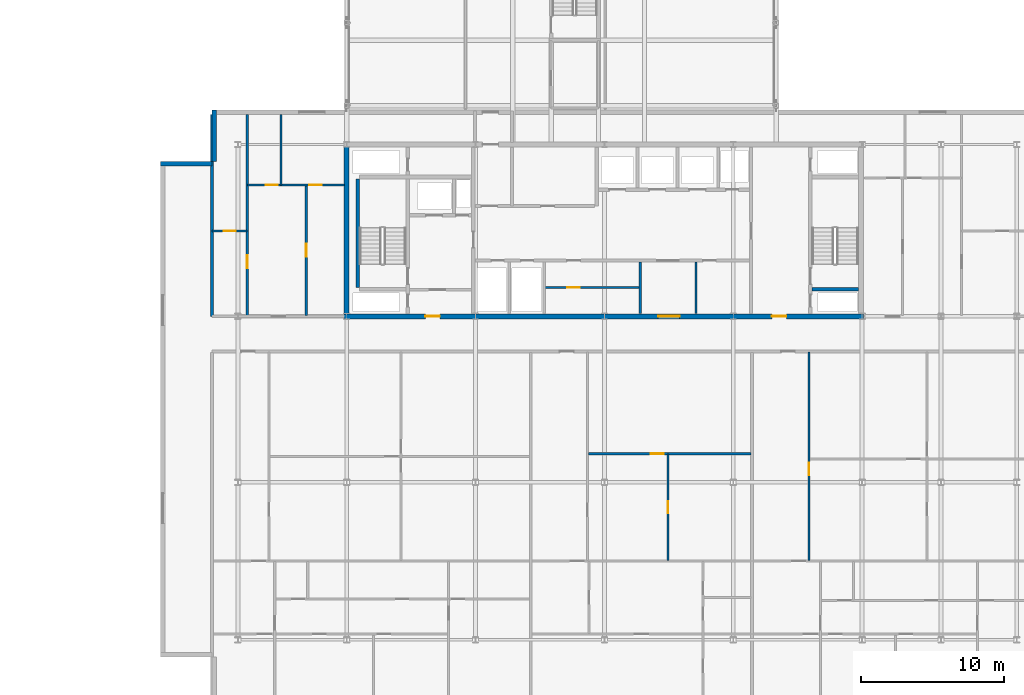
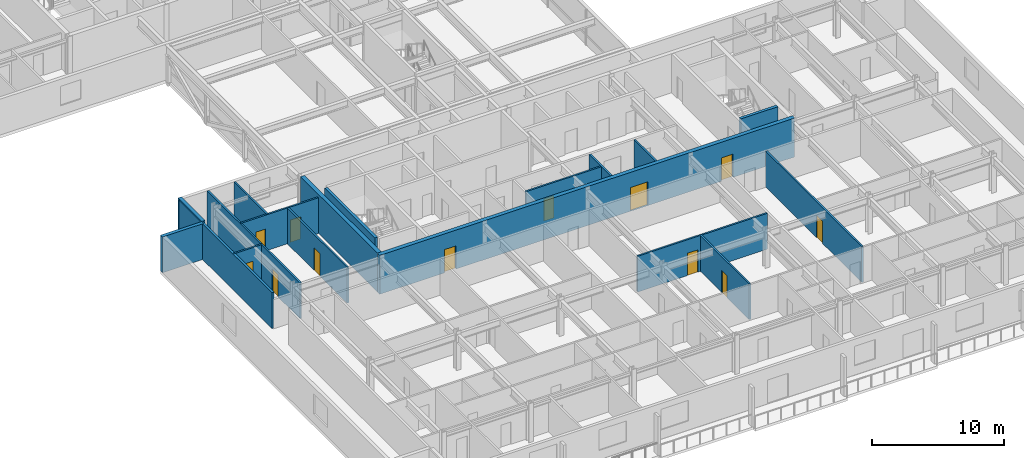
# One storey, part 19 of 36: 18 walls, 12 doors, 12 openings.
"""IFC4 building model written with IfcOpenShell, lengths in metres."""

from ifc_helpers import new_model, si_unit, direction, frame, frame_2d, origin, place, context, subcontext, project, spatial, rectangle, extrude, material, layer, layer_set, type_object, element, fill, save


model = new_model("IFC4")

# Units and contexts
model_context = context("Model", 3, precision=1e-05, world=origin(), true_north=direction((0.0, 1.0)))
body_context = subcontext(model_context, "Body", "Model", "MODEL_VIEW")
ifc_project = project(units=[si_unit("LENGTHUNIT", "METRE"), si_unit("AREAUNIT", "SQUARE_METRE"), si_unit("VOLUMEUNIT", "CUBIC_METRE"), si_unit("PLANEANGLEUNIT", "RADIAN"), si_unit("MASSUNIT", "GRAM", prefix="KILO")], contexts=[model_context])

# Site, building, storey
site_placement = place(None, origin())
site = spatial("IfcSite", under=ifc_project, at=site_placement, CompositionType="ELEMENT")
building_placement = place(site_placement, origin())
building = spatial("IfcBuilding", under=site, at=building_placement, Name="Korimba Cascade Residences", CompositionType="ELEMENT")
storey_placement = place(building_placement, frame((0.0, 0.0, 139.300048828125)))
storey = spatial("IfcBuildingStorey", under=building, at=storey_placement, Name="L40", CompositionType="ELEMENT", Elevation=139.300048828125)

# Walls
ifc_material_1 = material(Name="Precast concrete C40/50", Category="concrete")
ifc_layer_1 = layer(ifc_material_1, 0.300048828125)
ifc_layer_set_1 = layer_set([ifc_layer_1], Name="Precast concrete C40/50")
wall_type_1 = type_object("IfcWallType", Name="EW-STONE-300", PredefinedType="STANDARD", material=ifc_layer_set_1)
wall_1_placement = place(storey_placement, frame((72.85009765625, 32.800048828125, 0.0), z_axis=(0.0, 0.0, 1.0), x_axis=(0.0, -1.0, 0.0)))
element("IfcWall", 1, at=wall_1_placement, inside=storey, type_object=wall_type_1, Name="L40 T2 Perimeter Stone Wall E07", PredefinedType="STANDARD", context=body_context, shape_type="SweptSolid", body=[
    extrude(rectangle(XDim=3.60009765625, YDim=0.300048828125, at=frame_2d((1.800048828125, 0.0))), origin(), (0.0, 0.0, 1.0), 3.31005859375),
])
wall_2_placement = place(storey_placement, frame((72.699951171875, 29.050048828125, 0.0), z_axis=(0.0, 0.0, 1.0), x_axis=(-1.0, 0.0, 0.0)))
element("IfcWall", 2, at=wall_2_placement, inside=storey, type_object=wall_type_1, Name="L40 T2 Perimeter Stone Wall E08", PredefinedType="STANDARD", context=body_context, shape_type="SweptSolid", body=[
    extrude(rectangle(XDim=3.599853515625, YDim=0.300048828125, at=frame_2d((1.7998046875, 0.0))), origin(), (0.0, 0.0, 1.0), 3.31005859375),
])
ifc_material_2 = material(Name="Concrete C65/80", Category="concrete")
ifc_layer_2 = layer(ifc_material_2, 0.35009765625)
ifc_layer_set_2 = layer_set([ifc_layer_2], Name="Concrete C65/80")
wall_type_2 = type_object("IfcWallType", Name="WAL-CORE-350", PredefinedType="SHEAR", material=ifc_layer_set_2)
wall_3_placement = place(storey_placement, frame((82.10009765625, 18.574951171875, 0.0), z_axis=(0.0, 0.0, 1.0), x_axis=(0.0, 1.0, 0.0)))
element("IfcWall", 3, at=wall_3_placement, inside=storey, type_object=wall_type_2, Name="L40 Core Shear Wall CW-L40-T2-W", PredefinedType="SHEAR", context=body_context, shape_type="SweptSolid", body=[
    extrude(rectangle(XDim=11.650146484375, YDim=0.35009765625, at=frame_2d((5.8251953125, 0.0))), origin(), (0.0, 0.0, 1.0), 3.599853515625),
])

# Wall, openings, doors
wall_4_placement = place(storey_placement, frame((81.925048828125, 18.39990234375, 0.0), z_axis=(0.0, 0.0, 1.0), x_axis=(1.0, 0.0, 0.0)))
wall_4 = element("IfcWall", 4, at=wall_4_placement, inside=storey, type_object=wall_type_2, Name="L40 Core Shear Wall CW-L40-T2-S", PredefinedType="SHEAR", context=body_context, shape_type="SweptSolid", body=[
    extrude(rectangle(XDim=36.264892578125, YDim=0.35009765625, at=frame_2d((18.13232421875, 0.0))), origin(), (0.0, 0.0, 1.0), 3.599853515625),
])
opening_1_placement = place(wall_4_placement, frame((5.675048828125, 0.0, 0.0)))
opening_1 = element("IfcOpeningElement", 5, at=opening_1_placement, cuts=wall_4, Name="Opening D-FD5", PredefinedType="OPENING", context=body_context, shape_type="SweptSolid", body=[
    extrude(rectangle(XDim=1.0, YDim=2.14990234375, at=frame_2d((0.5, 1.074951171875))), frame((0.0, 0.18505859375, 0.0), z_axis=(0.0, -1.0, 0.0), x_axis=(1.0, 0.0, 0.0)), (0.0, 0.0, 1.0), 0.3701171875),
])
opening_2_placement = place(wall_4_placement, frame((21.925048828125, 0.0, 0.0)))
opening_2 = element("IfcOpeningElement", 6, at=opening_2_placement, cuts=wall_4, Name="Opening D-FD8", PredefinedType="OPENING", context=body_context, shape_type="SweptSolid", body=[
    extrude(rectangle(XDim=1.5, YDim=2.199951171875, at=frame_2d((0.75, 1.10009765625))), frame((0.0, 0.18505859375, 0.0), z_axis=(0.0, -1.0, 0.0), x_axis=(1.0, 0.0, 0.0)), (0.0, 0.0, 1.0), 0.3701171875),
])
opening_3_placement = place(wall_4_placement, frame((29.875, 0.0, 0.0)))
opening_3 = element("IfcOpeningElement", 7, at=opening_3_placement, cuts=wall_4, Name="Opening D-FD5", PredefinedType="OPENING", context=body_context, shape_type="SweptSolid", body=[
    extrude(rectangle(XDim=1.0, YDim=2.14990234375, at=frame_2d((0.5, 1.074951171875))), frame((0.0, 0.18505859375, 0.0), z_axis=(0.0, -1.0, 0.0), x_axis=(1.0, 0.0, 0.0)), (0.0, 0.0, 1.0), 0.3701171875),
])
ifc_material_3 = material(Name="Fire-Rated Acoustic Timber Vestibule Door", Category="wood")
door_type_1 = type_object("IfcDoorType", Name="DR-FD90-1000", OperationType="NOTDEFINED", PredefinedType="DOOR", material=ifc_material_3)
door_1_placement = place(opening_1_placement, origin())
door_1 = element("IfcDoor", 8, at=door_1_placement, inside=storey, type_object=door_type_1, Name="L40 T2 West Core Vestibule Fire Door", OperationType="SINGLE_SWING_RIGHT", OverallHeight=2.14990234375, OverallWidth=1.0, PredefinedType="DOOR", context=body_context, shape_type="SweptSolid", body=[
    extrude(rectangle(XDim=1.0, YDim=2.14990234375, at=frame_2d((0.5, 1.074951171875))), frame((0.0, 0.02490234375, 0.0), z_axis=(0.0, -1.0, 0.0), x_axis=(1.0, 0.0, 0.0)), (0.0, 0.0, 1.0), 0.050048828125),
])
fill(opening_1, door_1)
door_2_placement = place(opening_3_placement, origin())
door_2 = element("IfcDoor", 9, at=door_2_placement, inside=storey, type_object=door_type_1, Name="L40 T2 East Stair Vestibule Fire Door", OperationType="SINGLE_SWING_LEFT", OverallHeight=2.14990234375, OverallWidth=1.0, PredefinedType="DOOR", context=body_context, shape_type="SweptSolid", body=[
    extrude(rectangle(XDim=1.0, YDim=2.14990234375, at=frame_2d((0.5, 1.074951171875))), frame((0.0, 0.02490234375, 0.0), z_axis=(0.0, -1.0, 0.0), x_axis=(1.0, 0.0, 0.0)), (0.0, 0.0, 1.0), 0.050048828125),
])
fill(opening_3, door_2)
ifc_material_4 = material(Name="Fire-Rated Glazed Lift Lobby Double Door", Category="glass")
door_type_2 = type_object("IfcDoorType", Name="DR-FD90-1500", OperationType="NOTDEFINED", PredefinedType="DOOR", material=ifc_material_4)
door_3_placement = place(opening_2_placement, origin())
door_3 = element("IfcDoor", 10, at=door_3_placement, inside=storey, type_object=door_type_2, Name="L40 T2 Lift Lobby Fire Door", OperationType="DOUBLE_DOOR_SINGLE_SWING", OverallHeight=2.199951171875, OverallWidth=1.5, PredefinedType="DOOR", context=body_context, shape_type="SweptSolid", body=[
    extrude(rectangle(XDim=1.5, YDim=2.199951171875, at=frame_2d((0.75, 1.10009765625))), frame((0.0, 0.02490234375, 0.0), z_axis=(0.0, -1.0, 0.0), x_axis=(1.0, 0.0, 0.0)), (0.0, 0.0, 1.0), 0.050048828125),
])
fill(opening_2, door_3)

# Wall
ifc_layer_3 = layer(ifc_material_1, 0.199951171875)
ifc_layer_set_3 = layer_set([ifc_layer_3], Name="Precast concrete C40/50")
wall_type_3 = type_object("IfcWallType", Name="WAL-IT-200", PredefinedType="PARTITIONING", material=ifc_layer_set_3)
wall_5_placement = place(storey_placement, frame((72.699951171875, 18.39990234375, 0.0), z_axis=(0.0, 0.0, 1.0), x_axis=(0.0, 1.0, 0.0)))
element("IfcWall", 11, at=wall_5_placement, inside=storey, type_object=wall_type_3, Name="L40 Partition Wall WAL-L40-T2-FW-WL", PredefinedType="PARTITIONING", context=body_context, shape_type="SweptSolid", body=[
    extrude(rectangle(XDim=14.10009765625, YDim=0.199951171875, at=frame_2d((7.050048828125, 0.0))), origin(), (0.0, 0.0, 1.0), 3.31005859375),
])

# Wall, opening, door
ifc_material_5 = material(Name="Insulated Acoustic Stud Partition", Category="gypsum")
ifc_layer_4 = layer(ifc_material_5, 0.14990234375)
ifc_layer_set_4 = layer_set([ifc_layer_4], Name="Insulated Acoustic Stud Partition")
wall_type_4 = type_object("IfcWallType", Name="WAL-PART-150", PredefinedType="PARTITIONING", material=ifc_layer_set_4)
wall_6_placement = place(storey_placement, frame((95.89990234375, 20.39990234375, 0.0), z_axis=(0.0, 0.0, 1.0), x_axis=(1.0, 0.0, 0.0)))
wall_6 = element("IfcWall", 12, at=wall_6_placement, inside=storey, type_object=wall_type_4, Name="L40 Partition Wall CW-L40-T2-CA2HZ", PredefinedType="PARTITIONING", context=body_context, shape_type="SweptSolid", body=[
    extrude(rectangle(XDim=6.7001953125, YDim=0.14990234375, at=frame_2d((3.35009765625, 0.0))), origin(), (0.0, 0.0, 1.0), 3.31005859375),
])
opening_4_placement = place(wall_6_placement, frame((1.60009765625, 0.0, 0.0)))
opening_4 = element("IfcOpeningElement", 13, at=opening_4_placement, cuts=wall_6, Name="Opening D-IN2", PredefinedType="OPENING", context=body_context, shape_type="SweptSolid", body=[
    extrude(rectangle(XDim=0.8798828125, YDim=2.06005859375, at=frame_2d((0.43994140625, 1.030029296875))), frame((0.0, 0.0849609375, 0.0), z_axis=(0.0, -1.0, 0.0), x_axis=(1.0, 0.0, 0.0)), (0.0, 0.0, 1.0), 0.169921875),
])
ifc_material_6 = material(Name="Acoustic Timber Bedroom Door", Category="wood")
door_type_3 = type_object("IfcDoorType", Name="DR-INT-880", OperationType="NOTDEFINED", PredefinedType="DOOR", material=ifc_material_6)
door_4_placement = place(opening_4_placement, origin())
door_4 = element("IfcDoor", 14, at=door_4_placement, inside=storey, type_object=door_type_3, Name="L40 T2 Pram Store Door", OperationType="SINGLE_SWING_LEFT", OverallHeight=2.06005859375, OverallWidth=0.8798828125, PredefinedType="DOOR", context=body_context, shape_type="SweptSolid", body=[
    extrude(rectangle(XDim=0.8798828125, YDim=2.06005859375, at=frame_2d((0.43994140625, 1.030029296875))), frame((0.0, 0.02490234375, 0.0), z_axis=(0.0, -1.0, 0.0), x_axis=(1.0, 0.0, 0.0)), (0.0, 0.0, 1.0), 0.050048828125),
])
fill(opening_4, door_4)

# Walls
for number, where, z_axis, x_axis, name in (
    (15, (102.60009765625, 18.60009765625, 0.0), (0.0, 0.0, 1.0), (0.0, 1.0, 0.0), "L40 Partition Wall CW-L40-T2-THW"),
    (16, (106.5, 18.60009765625, 0.0), (0.0, 0.0, 1.0), (0.0, 1.0, 0.0), "L40 Partition Wall CW-L40-T2-THE"),
):
    element("IfcWall", number, at=place(storey_placement, frame(where, z_axis=z_axis, x_axis=x_axis)), inside=storey, type_object=wall_type_4, Name=name, PredefinedType="PARTITIONING", context=body_context, shape_type="SweptSolid", body=[
        extrude(rectangle(XDim=3.599853515625, YDim=0.14990234375, at=frame_2d((1.7998046875, 0.0))), origin(), (0.0, 0.0, 1.0), 3.31005859375),
    ])

# Wall, opening, door
wall_7_placement = place(storey_placement, frame((72.699951171875, 24.35009765625, 0.0), z_axis=(0.0, 0.0, 1.0), x_axis=(1.0, 0.0, 0.0)))
wall_7 = element("IfcWall", 17, at=wall_7_placement, inside=storey, type_object=wall_type_4, Name="L40 Partition Wall WAL-L40-T2-FW-STH", PredefinedType="PARTITIONING", context=body_context, shape_type="SweptSolid", body=[
    extrude(rectangle(XDim=2.449951171875, YDim=0.14990234375, at=frame_2d((1.22509765625, 0.0))), origin(), (0.0, 0.0, 1.0), 3.31005859375),
])
opening_5_placement = place(wall_7_placement, frame((0.804931640625, 0.0, 0.0)))
opening_5 = element("IfcOpeningElement", 18, at=opening_5_placement, cuts=wall_7, Name="Opening D-BT1", PredefinedType="OPENING", context=body_context, shape_type="SweptSolid", body=[
    extrude(rectangle(XDim=0.840087890625, YDim=2.0400390625, at=frame_2d((0.419921875, 1.02001953125))), frame((0.0, 0.0849609375, 0.0), z_axis=(0.0, -1.0, 0.0), x_axis=(1.0, 0.0, 0.0)), (0.0, 0.0, 1.0), 0.169921875),
])
ifc_material_7 = material(Name="Moisture-Resistant Bathroom Timber Door", Category="wood")
door_type_4 = type_object("IfcDoorType", Name="DR-INT-850", OperationType="NOTDEFINED", PredefinedType="DOOR", material=ifc_material_7)
door_5_placement = place(opening_5_placement, origin())
door_5 = element("IfcDoor", 19, at=door_5_placement, inside=storey, type_object=door_type_4, Name="L40-T2-FW Dressing Store Door", OperationType="SINGLE_SWING_RIGHT", OverallHeight=2.0400390625, OverallWidth=0.840087890625, PredefinedType="DOOR", context=body_context, shape_type="SweptSolid", body=[
    extrude(rectangle(XDim=0.840087890625, YDim=2.0400390625, at=frame_2d((0.419921875, 1.02001953125))), frame((0.0, 0.02490234375, 0.0), z_axis=(0.0, -1.0, 0.0), x_axis=(1.0, 0.0, 0.0)), (0.0, 0.0, 1.0), 0.050048828125),
])
fill(opening_5, door_5)

wall_8_placement = place(storey_placement, frame((75.14990234375, 18.449951171875, 0.0), z_axis=(0.0, 0.0, 1.0), x_axis=(0.0, 1.0, 0.0)))
wall_8 = element("IfcWall", 20, at=wall_8_placement, inside=storey, type_object=wall_type_4, Name="L40 Partition Wall WAL-L40-T2-FW-STV", PredefinedType="PARTITIONING", context=body_context, shape_type="SweptSolid", body=[
    extrude(rectangle(XDim=14.050048828125, YDim=0.14990234375, at=frame_2d((7.02490234375, 0.0))), origin(), (0.0, 0.0, 1.0), 3.31005859375),
])
opening_6_placement = place(wall_8_placement, frame((3.320068359375, 0.0, 0.0)))
opening_6 = element("IfcOpeningElement", 21, at=opening_6_placement, cuts=wall_8, Name="Opening D-IN2", PredefinedType="OPENING", context=body_context, shape_type="SweptSolid", body=[
    extrude(rectangle(XDim=0.8798828125, YDim=2.06005859375, at=frame_2d((0.43994140625, 1.030029296875))), frame((0.0, 0.0849609375, 0.0), z_axis=(0.0, -1.0, 0.0), x_axis=(1.0, 0.0, 0.0)), (0.0, 0.0, 1.0), 0.169921875),
])
door_6_placement = place(opening_6_placement, origin())
door_6 = element("IfcDoor", 22, at=door_6_placement, inside=storey, type_object=door_type_3, Name="L40-T2-FW Study Door", OperationType="SINGLE_SWING_LEFT", OverallHeight=2.06005859375, OverallWidth=0.8798828125, PredefinedType="DOOR", context=body_context, shape_type="SweptSolid", body=[
    extrude(rectangle(XDim=0.8798828125, YDim=2.06005859375, at=frame_2d((0.43994140625, 1.030029296875))), frame((0.0, 0.02490234375, 0.0), z_axis=(0.0, -1.0, 0.0), x_axis=(1.0, 0.0, 0.0)), (0.0, 0.0, 1.0), 0.050048828125),
])
fill(opening_6, door_6)

wall_9_placement = place(storey_placement, frame((79.27001953125, 18.449951171875, 0.0), z_axis=(0.0, 0.0, 1.0), x_axis=(0.0, 1.0, 0.0)))
wall_9 = element("IfcWall", 23, at=wall_9_placement, inside=storey, type_object=wall_type_4, Name="L40 Partition Wall WAL-L40-T2-FW-VS", PredefinedType="PARTITIONING", context=body_context, shape_type="SweptSolid", body=[
    extrude(rectangle(XDim=9.1201171875, YDim=0.14990234375, at=frame_2d((4.56005859375, 0.0))), origin(), (0.0, 0.0, 1.0), 3.31005859375),
])
opening_7_placement = place(wall_9_placement, frame((4.10009765625, 0.0, 0.0)))
opening_7 = element("IfcOpeningElement", 24, at=opening_7_placement, cuts=wall_9, Name="Opening D-IN1", PredefinedType="OPENING", context=body_context, shape_type="SweptSolid", body=[
    extrude(rectangle(XDim=0.919921875, YDim=2.080078125, at=frame_2d((0.4599609375, 1.0400390625))), frame((0.0, 0.0849609375, 0.0), z_axis=(0.0, -1.0, 0.0), x_axis=(1.0, 0.0, 0.0)), (0.0, 0.0, 1.0), 0.169921875),
])
ifc_material_8 = material(Name="Acoustic Timber Living Door", Category="wood")
door_type_5 = type_object("IfcDoorType", Name="DR-INT-920", OperationType="NOTDEFINED", PredefinedType="DOOR", material=ifc_material_8)
door_7_placement = place(opening_7_placement, origin())
door_7 = element("IfcDoor", 25, at=door_7_placement, inside=storey, type_object=door_type_5, Name="L40-T2-FW Living Door", OperationType="SINGLE_SWING_RIGHT", OverallHeight=2.080078125, OverallWidth=0.919921875, PredefinedType="DOOR", context=body_context, shape_type="SweptSolid", body=[
    extrude(rectangle(XDim=0.919921875, YDim=2.080078125, at=frame_2d((0.4599609375, 1.0400390625))), frame((0.0, 0.02490234375, 0.0), z_axis=(0.0, -1.0, 0.0), x_axis=(1.0, 0.0, 0.0)), (0.0, 0.0, 1.0), 0.050048828125),
])
fill(opening_7, door_7)

# Wall
wall_10_placement = place(storey_placement, frame((77.5, 27.570068359375, 0.0), z_axis=(0.0, 0.0, 1.0), x_axis=(0.0, 1.0, 0.0)))
element("IfcWall", 26, at=wall_10_placement, inside=storey, type_object=wall_type_4, Name="L40 Partition Wall WAL-L40-T2-FW-VN", PredefinedType="PARTITIONING", context=body_context, shape_type="SweptSolid", body=[
    extrude(rectangle(XDim=4.929931640625, YDim=0.14990234375, at=frame_2d((2.46484375, 0.0))), origin(), (0.0, 0.0, 1.0), 3.31005859375),
])

# Wall, openings, doors
wall_11_placement = place(storey_placement, frame((75.169921875, 27.570068359375, 0.0), z_axis=(0.0, 0.0, 1.0), x_axis=(1.0, 0.0, 0.0)))
wall_11 = element("IfcWall", 27, at=wall_11_placement, inside=storey, type_object=wall_type_4, Name="L40 Partition Wall WAL-L40-T2-FW-H", PredefinedType="PARTITIONING", context=body_context, shape_type="SweptSolid", body=[
    extrude(rectangle(XDim=6.760009765625, YDim=0.14990234375, at=frame_2d((3.3798828125, 0.0))), origin(), (0.0, 0.0, 1.0), 3.31005859375),
])
opening_8_placement = place(wall_11_placement, frame((1.266357421875, 0.0, 0.0)))
opening_8 = element("IfcOpeningElement", 28, at=opening_8_placement, cuts=wall_11, Name="Opening D-BT1", PredefinedType="OPENING", context=body_context, shape_type="SweptSolid", body=[
    extrude(rectangle(XDim=0.840087890625, YDim=2.0400390625, at=frame_2d((0.419921875, 1.02001953125))), frame((0.0, 0.0849609375, 0.0), z_axis=(0.0, -1.0, 0.0), x_axis=(1.0, 0.0, 0.0)), (0.0, 0.0, 1.0), 0.169921875),
])
opening_9_placement = place(wall_11_placement, frame((4.320068359375, 0.0, 0.0)))
opening_9 = element("IfcOpeningElement", 29, at=opening_9_placement, cuts=wall_11, Name="Opening D-IN2", PredefinedType="OPENING", context=body_context, shape_type="SweptSolid", body=[
    extrude(rectangle(XDim=0.8798828125, YDim=2.06005859375, at=frame_2d((0.43994140625, 1.030029296875))), frame((0.0, 0.0849609375, 0.0), z_axis=(0.0, -1.0, 0.0), x_axis=(1.0, 0.0, 0.0)), (0.0, 0.0, 1.0), 0.169921875),
])
door_8_placement = place(opening_8_placement, origin())
door_8 = element("IfcDoor", 30, at=door_8_placement, inside=storey, type_object=door_type_4, Name="L40-T2-FW Bathroom Door", OperationType="SINGLE_SWING_LEFT", OverallHeight=2.0400390625, OverallWidth=0.840087890625, PredefinedType="DOOR", context=body_context, shape_type="SweptSolid", body=[
    extrude(rectangle(XDim=0.840087890625, YDim=2.0400390625, at=frame_2d((0.419921875, 1.02001953125))), frame((0.0, 0.02490234375, 0.0), z_axis=(0.0, -1.0, 0.0), x_axis=(1.0, 0.0, 0.0)), (0.0, 0.0, 1.0), 0.050048828125),
])
fill(opening_8, door_8)
door_9_placement = place(opening_9_placement, origin())
door_9 = element("IfcDoor", 31, at=door_9_placement, inside=storey, type_object=door_type_3, Name="L40-T2-FW Bedroom Door", OperationType="SINGLE_SWING_RIGHT", OverallHeight=2.06005859375, OverallWidth=0.8798828125, PredefinedType="DOOR", context=body_context, shape_type="SweptSolid", body=[
    extrude(rectangle(XDim=0.8798828125, YDim=2.06005859375, at=frame_2d((0.43994140625, 1.030029296875))), frame((0.0, 0.02490234375, 0.0), z_axis=(0.0, -1.0, 0.0), x_axis=(1.0, 0.0, 0.0)), (0.0, 0.0, 1.0), 0.050048828125),
])
fill(opening_9, door_9)

# Wall, opening, door
wall_12_placement = place(storey_placement, frame((104.5341796875, 1.340087890625, 0.0), z_axis=(0.0, 0.0, 1.0), x_axis=(0.0, 1.0, 0.0)))
wall_12 = element("IfcWall", 32, at=wall_12_placement, inside=storey, type_object=wall_type_4, Name="L40 Partition Wall WAL-L40-T2-U02-FMV", PredefinedType="PARTITIONING", context=body_context, shape_type="SweptSolid", body=[
    extrude(rectangle(XDim=7.454833984375, YDim=0.14990234375, at=frame_2d((3.7275390625, 0.0))), origin(), (0.0, 0.0, 1.0), 3.31005859375),
])
opening_10_placement = place(wall_12_placement, frame((3.3076171875, 0.0, 0.0)))
opening_10 = element("IfcOpeningElement", 33, at=opening_10_placement, cuts=wall_12, Name="Opening D-BT1", PredefinedType="OPENING", context=body_context, shape_type="SweptSolid", body=[
    extrude(rectangle(XDim=0.840087890625, YDim=2.0400390625, at=frame_2d((0.419921875, 1.02001953125))), frame((0.0, 0.0849609375, 0.0), z_axis=(0.0, -1.0, 0.0), x_axis=(1.0, 0.0, 0.0)), (0.0, 0.0, 1.0), 0.169921875),
])
door_10_placement = place(opening_10_placement, origin())
door_10 = element("IfcDoor", 34, at=door_10_placement, inside=storey, type_object=door_type_4, Name="L40-T2-U02 Wardrobe Door", OperationType="SINGLE_SWING_LEFT", OverallHeight=2.0400390625, OverallWidth=0.840087890625, PredefinedType="DOOR", context=body_context, shape_type="SweptSolid", body=[
    extrude(rectangle(XDim=0.840087890625, YDim=2.0400390625, at=frame_2d((0.419921875, 1.02001953125))), frame((0.0, 0.02490234375, 0.0), z_axis=(0.0, -1.0, 0.0), x_axis=(1.0, 0.0, 0.0)), (0.0, 0.0, 1.0), 0.050048828125),
])
fill(opening_10, door_10)

wall_13_placement = place(storey_placement, frame((98.97998046875, 8.794921875, 0.0), z_axis=(0.0, 0.0, 1.0), x_axis=(1.0, 0.0, 0.0)))
wall_13 = element("IfcWall", 35, at=wall_13_placement, inside=storey, type_object=wall_type_4, Name="L40 Partition Wall WAL-L40-T2-U02-FMH", PredefinedType="PARTITIONING", context=body_context, shape_type="SweptSolid", body=[
    extrude(rectangle(XDim=11.348388671875, YDim=0.14990234375, at=frame_2d((5.67431640625, 0.0))), origin(), (0.0, 0.0, 1.0), 3.31005859375),
])
opening_11_placement = place(wall_13_placement, frame((4.3720703125, 0.0, 0.0)))
opening_11 = element("IfcOpeningElement", 36, at=opening_11_placement, cuts=wall_13, Name="Opening D-IN2", PredefinedType="OPENING", context=body_context, shape_type="SweptSolid", body=[
    extrude(rectangle(XDim=0.8798828125, YDim=2.06005859375, at=frame_2d((0.43994140625, 1.030029296875))), frame((0.0, 0.0849609375, 0.0), z_axis=(0.0, -1.0, 0.0), x_axis=(1.0, 0.0, 0.0)), (0.0, 0.0, 1.0), 0.169921875),
])
door_11_placement = place(opening_11_placement, origin())
door_11 = element("IfcDoor", 37, at=door_11_placement, inside=storey, type_object=door_type_3, Name="L40-T2-U02 Library Salon Door", OperationType="SINGLE_SWING_RIGHT", OverallHeight=2.06005859375, OverallWidth=0.8798828125, PredefinedType="DOOR", context=body_context, shape_type="SweptSolid", body=[
    extrude(rectangle(XDim=0.8798828125, YDim=2.06005859375, at=frame_2d((0.43994140625, 1.030029296875))), frame((0.0, 0.02490234375, 0.0), z_axis=(0.0, -1.0, 0.0), x_axis=(1.0, 0.0, 0.0)), (0.0, 0.0, 1.0), 0.050048828125),
])
fill(opening_11, door_11)

wall_14_placement = place(storey_placement, frame((114.37841796875, 1.340087890625, 0.0), z_axis=(0.0, 0.0, 1.0), x_axis=(0.0, 1.0, 0.0)))
wall_14 = element("IfcWall", 38, at=wall_14_placement, inside=storey, type_object=wall_type_4, Name="L40 Partition Wall WAL-L40-T2-U03-FV", PredefinedType="PARTITIONING", context=body_context, shape_type="SweptSolid", body=[
    extrude(rectangle(XDim=14.5498046875, YDim=0.14990234375, at=frame_2d((7.27490234375, 0.0))), origin(), (0.0, 0.0, 1.0), 3.31005859375),
])
opening_12_placement = place(wall_14_placement, frame((5.965087890625, 0.0, 0.0)))
opening_12 = element("IfcOpeningElement", 39, at=opening_12_placement, cuts=wall_14, Name="Opening D-IN2", PredefinedType="OPENING", context=body_context, shape_type="SweptSolid", body=[
    extrude(rectangle(XDim=0.8798828125, YDim=2.06005859375, at=frame_2d((0.43994140625, 1.030029296875))), frame((0.0, 0.0849609375, 0.0), z_axis=(0.0, -1.0, 0.0), x_axis=(1.0, 0.0, 0.0)), (0.0, 0.0, 1.0), 0.169921875),
])
door_12_placement = place(opening_12_placement, origin())
door_12 = element("IfcDoor", 40, at=door_12_placement, inside=storey, type_object=door_type_3, Name="L40-T2-U03 Media Lounge Door", OperationType="SINGLE_SWING_LEFT", OverallHeight=2.06005859375, OverallWidth=0.8798828125, PredefinedType="DOOR", context=body_context, shape_type="SweptSolid", body=[
    extrude(rectangle(XDim=0.8798828125, YDim=2.06005859375, at=frame_2d((0.43994140625, 1.030029296875))), frame((0.0, 0.02490234375, 0.0), z_axis=(0.0, -1.0, 0.0), x_axis=(1.0, 0.0, 0.0)), (0.0, 0.0, 1.0), 0.050048828125),
])
fill(opening_12, door_12)

# Walls
ifc_material_9 = material(Name="Concrete C50/60", Category="concrete")
ifc_layer_5 = layer(ifc_material_9, 0.25)
ifc_layer_set_5 = layer_set([ifc_layer_5], Name="Concrete C50/60")
wall_type_5 = type_object("IfcWallType", Name="WAL-SHAFT-250", PredefinedType="SHEAR", material=ifc_layer_set_5)
wall_15_placement = place(storey_placement, frame((82.875, 20.39990234375, 0.0), z_axis=(0.0, 0.0, 1.0), x_axis=(0.0, 1.0, 0.0)))
element("IfcWall", 41, at=wall_15_placement, inside=storey, type_object=wall_type_5, Name="L40 Core Shear Wall CW-L40-T2-STE1W", PredefinedType="SHEAR", context=body_context, shape_type="SweptSolid", body=[
    extrude(rectangle(XDim=7.60009765625, YDim=0.25, at=frame_2d((3.800048828125, 0.0))), origin(), (0.0, 0.0, 1.0), 3.599853515625),
])
wall_16_placement = place(storey_placement, frame((114.60009765625, 20.27490234375, 0.0), z_axis=(0.0, 0.0, 1.0), x_axis=(1.0, 0.0, 0.0)))
element("IfcWall", 42, at=wall_16_placement, inside=storey, type_object=wall_type_5, Name="L40 Core Shear Wall CW-L40-T2-STE2S", PredefinedType="SHEAR", context=body_context, shape_type="SweptSolid", body=[
    extrude(rectangle(XDim=3.239990234375, YDim=0.25, at=frame_2d((1.6201171875, 0.0))), origin(), (0.0, 0.0, 1.0), 3.599853515625),
])

save(model, "model.ifc")
